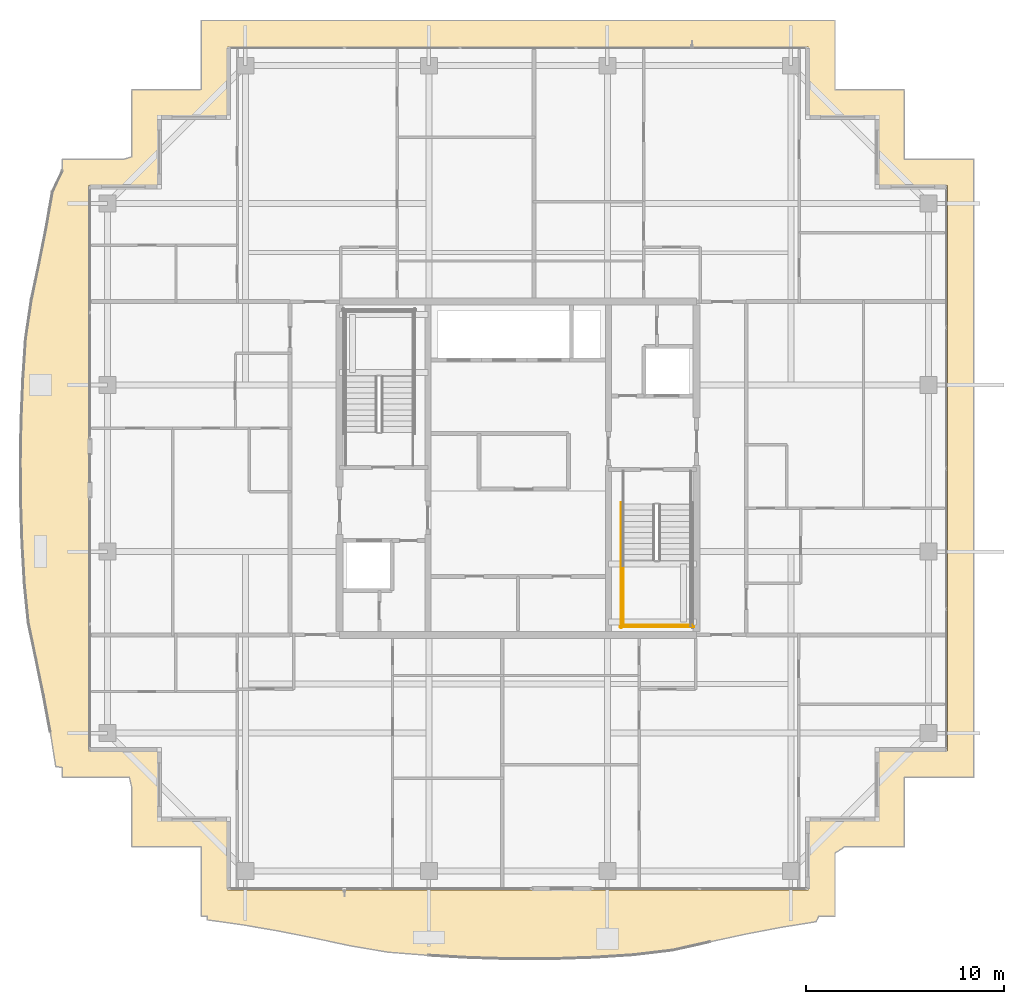
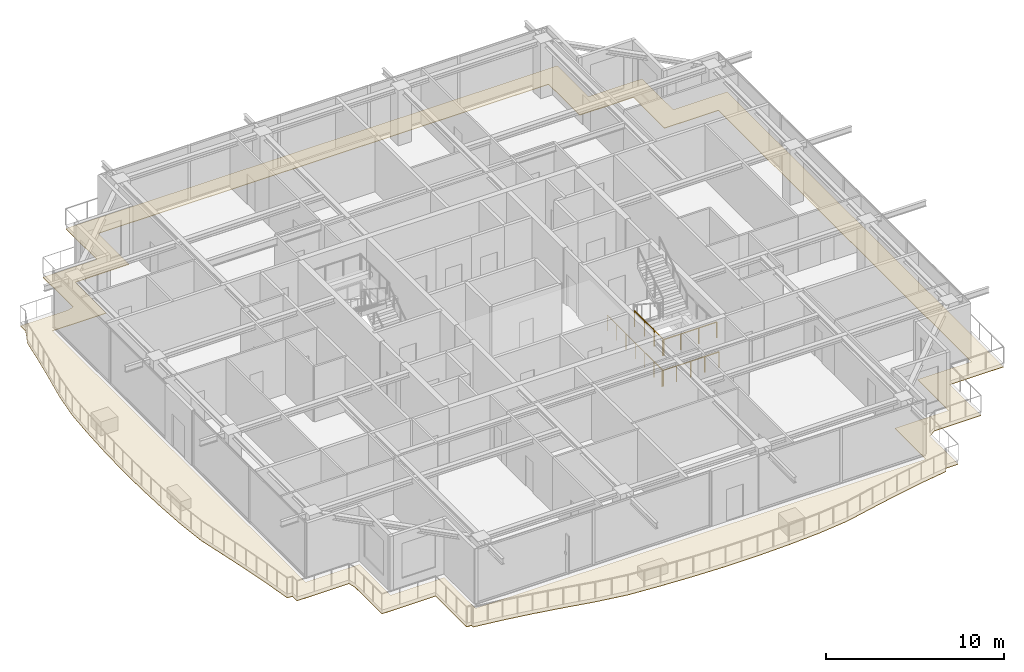
# One storey, part 33 of 36: 4 railings, 1 covering.
"""IFC4 building model written with IfcOpenShell, lengths in metres."""

from ifc_helpers import new_model, si_unit, direction, frame, origin, origin_2d, place, context, subcontext, project, spatial, polyline, circle, outline, extrude, material, layer, layer_set, type_object, element, save


model = new_model("IFC4")

# Units and contexts
model_context = context("Model", 3, precision=1e-05, world=origin(), true_north=direction((0.0, 1.0)))
body_context = subcontext(model_context, "Body", "Model", "MODEL_VIEW")
ifc_project = project(units=[si_unit("LENGTHUNIT", "METRE"), si_unit("AREAUNIT", "SQUARE_METRE"), si_unit("VOLUMEUNIT", "CUBIC_METRE"), si_unit("PLANEANGLEUNIT", "RADIAN"), si_unit("MASSUNIT", "GRAM", prefix="KILO")], contexts=[model_context])

# Site, building, storey
site_placement = place(None, origin())
site = spatial("IfcSite", under=ifc_project, at=site_placement, CompositionType="ELEMENT")
building_placement = place(site_placement, origin())
building = spatial("IfcBuilding", under=site, at=building_placement, Name="Serunith Strait Residences", CompositionType="ELEMENT")
storey_placement = place(building_placement, frame((0.0, 0.0, 338.0)))
storey = spatial("IfcBuildingStorey", under=building, at=storey_placement, Name="L84", CompositionType="ELEMENT", Elevation=338.0)

# Covering
ifc_material_1 = material(Name="Golden Teak Exterior Timber Boarding", Category="wood")
ifc_layer = layer(ifc_material_1, 0.034912109375, Name="Golden Teak Exterior Timber Boarding")
ifc_layer_set = layer_set([ifc_layer], Name="Golden Teak Exterior Timber Boarding")
covering_type = type_object("IfcCoveringType", Name="COV-TEAK-SOFFIT", PredefinedType="CEILING", material=ifc_layer_set)
covering_placement = place(storey_placement, frame((0.0, 0.0, -0.324951171875)))
element("IfcCovering", 1, at=covering_placement, inside=storey, type_object=covering_type, Name="L84 Golden-Teak Balcony Soffit Lining", PredefinedType="CEILING", context=body_context, shape_type="SweptSolid", body=[
    extrude(outline(polyline([(16.419921875, 2.6201171875), (16.419921875, 6.1201171875), (12.919921875, 6.1201171875), (12.919921875, 9.12255859375), (12.7998046875, 9.6201171875), (9.419921875, 9.6201171875), (9.419921875, 10.113525390625), (9.088134765625, 10.162353515625), (8.808837890625, 11.929931640625), (8.476318359375, 13.718017578125), (8.101318359375, 15.544189453125), (7.70751953125, 17.426513671875), (7.507568359375, 19.418701171875), (7.39208984375, 21.45654296875), (7.324462890625, 23.5166015625), (7.30908203125, 25.587158203125), (7.346923828125, 27.655029296875), (7.43505859375, 29.70751953125), (7.5673828125, 31.73388671875), (7.860107421875, 33.682861328125), (8.249267578125, 35.542236328125), (8.609130859375, 37.352294921875), (8.9208984375, 39.131591796875), (9.419921875, 40.195068359375), (9.419921875, 40.780029296875), (12.507568359375, 40.780029296875), (12.919921875, 40.90380859375), (12.919921875, 44.280029296875), (16.36767578125, 44.280029296875), (16.419921875, 44.307373046875), (16.419921875, 47.780029296875), (48.3798828125, 47.780029296875), (48.3798828125, 44.280029296875), (51.8798828125, 44.280029296875), (51.8798828125, 40.780029296875), (55.3798828125, 40.780029296875), (55.3798828125, 9.6201171875), (51.8798828125, 9.6201171875), (51.8798828125, 6.1201171875), (48.868408203125, 6.1201171875), (48.3798828125, 5.800537109375), (48.3798828125, 2.6201171875), (47.564208984375, 2.6201171875), (47.42529296875, 2.338623046875), (45.66357421875, 2.056884765625), (43.884033203125, 1.715087890625), (42.067626953125, 1.321533203125), (40.19384765625, 0.901611328125), (38.2060546875, 0.664306640625), (36.16162109375, 0.535400390625), (34.091552734375, 0.46728515625), (32.010986328125, 0.465087890625), (29.9365234375, 0.5263671875), (27.88232421875, 0.642333984375), (25.85888671875, 0.80029296875), (23.92138671875, 1.126708984375), (22.0693359375, 1.5234375), (20.263916015625, 1.881103515625), (18.486083984375, 2.184814453125), (16.720703125, 2.4326171875), (16.72216796875, 2.6201171875), (16.419921875, 2.6201171875)]), holes=[polyline([(47.054931640625, 3.945068359375), (47.054931640625, 7.445068359375), (50.554931640625, 7.445068359375), (50.554931640625, 10.945068359375), (54.054931640625, 10.945068359375), (54.054931640625, 39.455078125), (50.554931640625, 39.455078125), (50.554931640625, 42.955078125), (47.054931640625, 42.955078125), (47.054931640625, 46.455078125), (17.7451171875, 46.455078125), (17.7451171875, 42.955078125), (14.2451171875, 42.955078125), (14.2451171875, 39.455078125), (10.7451171875, 39.455078125), (10.7451171875, 10.945068359375), (14.2451171875, 10.945068359375), (14.2451171875, 7.445068359375), (17.7451171875, 7.445068359375), (17.7451171875, 3.945068359375), (47.054931640625, 3.945068359375)])]), origin(), (0.0, 0.0, 1.0), 0.034912109375),
])

# Railings
ifc_material_2 = material(Name="Brushed stainless steel 316L", Category="steel")
railing_type = type_object("IfcRailingType", Name="RLG-STAIR-GUARD", PredefinedType="BALUSTRADE", material=ifc_material_2)
railing_1_placement = place(storey_placement, frame((37.699951171875, 20.570068359375, 2.02490234375)))
element("IfcRailing", 2, at=railing_1_placement, inside=storey, type_object=railing_type, Name="L84 ST-2 stair guard 3", PredefinedType="BALUSTRADE", context=body_context, shape_type="SweptSolid", body=[
    extrude(circle(Radius=0.02392578125, at=origin_2d()), frame((0.0, -0.001953125, 1.076171875), z_axis=(0.0, -1.0, 0.0), x_axis=(1.0, 0.0, 0.0)), (0.0, 0.0, 1.0), 3.316162109375),
    extrude(circle(Radius=0.02099609375, at=origin_2d()), origin(), (0.0, 0.0, 1.0), 1.050048828125),
    extrude(circle(Radius=0.02099609375, at=origin_2d()), frame((0.0, -1.106689453125, 0.0)), (0.0, 0.0, 1.0), 1.050048828125),
    extrude(circle(Radius=0.02099609375, at=origin_2d()), frame((0.0, -2.21337890625, 0.0)), (0.0, 0.0, 1.0), 1.050048828125),
    extrude(circle(Radius=0.02099609375, at=origin_2d()), frame((0.0, -3.320068359375, 0.0)), (0.0, 0.0, 1.0), 1.050048828125),
])
railing_2_placement = place(storey_placement, frame((37.64990234375, 17.300048828125, 2.02490234375)))
element("IfcRailing", 3, at=railing_2_placement, inside=storey, type_object=railing_type, Name="L84 ST-2 stair guard 5", PredefinedType="BALUSTRADE", context=body_context, shape_type="SweptSolid", body=[
    extrude(circle(Radius=0.02392578125, at=origin_2d()), frame((0.001953125, 0.0, 1.076171875), z_axis=(1.0, 0.0, 0.0), x_axis=(0.0, 1.0, 0.0)), (0.0, 0.0, 1.0), 3.49609375),
    extrude(circle(Radius=0.02099609375, at=origin_2d()), origin(), (0.0, 0.0, 1.0), 1.050048828125),
    extrude(circle(Radius=0.02099609375, at=origin_2d()), frame((1.166748046875, 0.0, 0.0)), (0.0, 0.0, 1.0), 1.050048828125),
    extrude(circle(Radius=0.02099609375, at=origin_2d()), frame((2.333251953125, 0.0, 0.0)), (0.0, 0.0, 1.0), 1.050048828125),
    extrude(circle(Radius=0.02099609375, at=origin_2d()), frame((3.5, 0.0, 0.0)), (0.0, 0.0, 1.0), 1.050048828125),
])
railing_3_placement = place(storey_placement, frame((37.60009765625, 23.469970703125, 0.0)))
element("IfcRailing", 4, at=railing_3_placement, inside=storey, type_object=railing_type, Name="L84 ST-2 stair guard 10", PredefinedType="BALUSTRADE", context=body_context, shape_type="SweptSolid", body=[
    extrude(circle(Radius=0.02392578125, at=origin_2d()), frame((0.0, -0.001953125, 1.076171875), z_axis=(0.0, -1.0, 0.0), x_axis=(1.0, 0.0, 0.0)), (0.0, 0.0, 1.0), 6.316162109375),
    extrude(circle(Radius=0.02099609375, at=origin_2d()), origin(), (0.0, 0.0, 1.0), 1.050048828125),
    extrude(circle(Radius=0.02099609375, at=origin_2d()), frame((0.0, -1.05322265625, 0.0)), (0.0, 0.0, 1.0), 1.050048828125),
    extrude(circle(Radius=0.02099609375, at=origin_2d()), frame((0.0, -2.106689453125, 0.0)), (0.0, 0.0, 1.0), 1.050048828125),
    extrude(circle(Radius=0.02099609375, at=origin_2d()), frame((0.0, -3.16015625, 0.0)), (0.0, 0.0, 1.0), 1.050048828125),
    extrude(circle(Radius=0.02099609375, at=origin_2d()), frame((0.0, -4.21337890625, 0.0)), (0.0, 0.0, 1.0), 1.050048828125),
    extrude(circle(Radius=0.02099609375, at=origin_2d()), frame((0.0, -5.2666015625, 0.0)), (0.0, 0.0, 1.0), 1.050048828125),
    extrude(circle(Radius=0.02099609375, at=origin_2d()), frame((0.0, -6.320068359375, 0.0)), (0.0, 0.0, 1.0), 1.050048828125),
])
railing_4_placement = place(storey_placement, frame((37.550048828125, 17.199951171875, 0.0)))
element("IfcRailing", 5, at=railing_4_placement, inside=storey, type_object=railing_type, Name="L84 ST-2 stair guard 12", PredefinedType="BALUSTRADE", context=body_context, shape_type="SweptSolid", body=[
    extrude(circle(Radius=0.02392578125, at=origin_2d()), frame((0.001953125, 0.0, 1.076171875), z_axis=(1.0, 0.0, 0.0), x_axis=(0.0, 1.0, 0.0)), (0.0, 0.0, 1.0), 3.696044921875),
    extrude(circle(Radius=0.02099609375, at=origin_2d()), origin(), (0.0, 0.0, 1.0), 1.050048828125),
    extrude(circle(Radius=0.02099609375, at=origin_2d()), frame((0.925048828125, 0.0, 0.0)), (0.0, 0.0, 1.0), 1.050048828125),
    extrude(circle(Radius=0.02099609375, at=origin_2d()), frame((1.85009765625, 0.0, 0.0)), (0.0, 0.0, 1.0), 1.050048828125),
    extrude(circle(Radius=0.02099609375, at=origin_2d()), frame((2.77490234375, 0.0, 0.0)), (0.0, 0.0, 1.0), 1.050048828125),
    extrude(circle(Radius=0.02099609375, at=origin_2d()), frame((3.699951171875, 0.0, 0.0)), (0.0, 0.0, 1.0), 1.050048828125),
])

save(model, "model.ifc")
